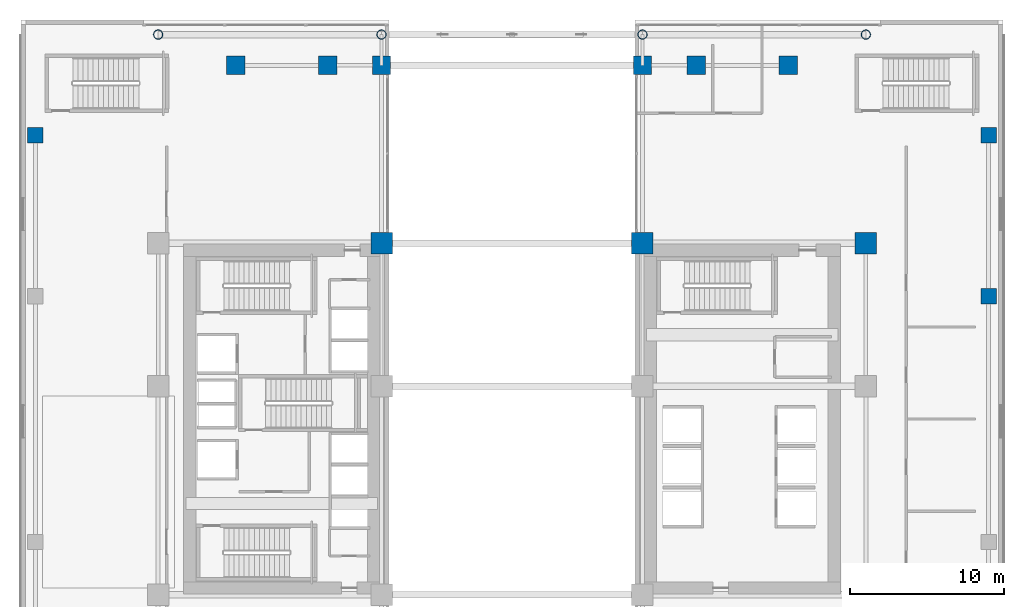
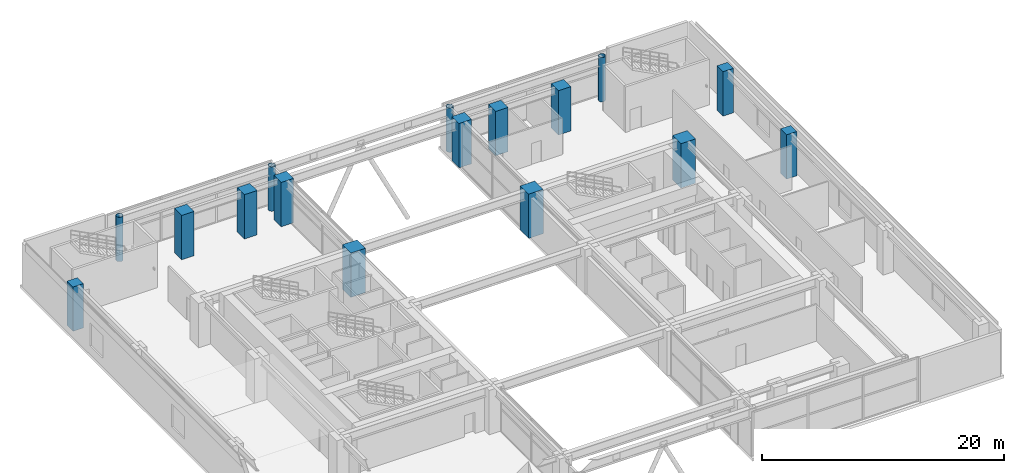
# One storey, part 2 of 30: 16 columns.
"""IFC4 building model written with IfcOpenShell, lengths in metres."""

from ifc_helpers import new_model, si_unit, direction, frame, origin, origin_2d, place, context, subcontext, project, spatial, rectangle, hollow_circle, extrude, source, transform, mapped, material, material_profile, profile_set, type_object, element, save


model = new_model("IFC4")

# Units and contexts
model_context = context("Model", 3, precision=1e-05, world=origin(), true_north=direction((0.0, 1.0)))
body_context = subcontext(model_context, "Body", "Model", "MODEL_VIEW")
ifc_project = project(units=[si_unit("LENGTHUNIT", "METRE"), si_unit("AREAUNIT", "SQUARE_METRE"), si_unit("VOLUMEUNIT", "CUBIC_METRE"), si_unit("PLANEANGLEUNIT", "RADIAN"), si_unit("MASSUNIT", "GRAM", prefix="KILO")], contexts=[model_context])

# Site, building, storey
site_placement = place(None, origin())
site = spatial("IfcSite", under=ifc_project, at=site_placement, CompositionType="ELEMENT")
building_placement = place(site_placement, origin())
building = spatial("IfcBuilding", under=site, at=building_placement, Name="Ocotamira Hotel", CompositionType="ELEMENT")
storey_placement = place(building_placement, frame((0.0, 0.0, 19.199951171875)))
storey = spatial("IfcBuildingStorey", under=building, at=storey_placement, Name="L04", CompositionType="ELEMENT", Elevation=19.199951171875)

# Columns
ifc_material_1 = material(Name="Concrete C50/60", Category="concrete")
ifc_material_profile_1 = material_profile(ifc_material_1, rectangle(XDim=1.0, YDim=1.0, at=origin_2d()), Name="RC1000X1000")
ifc_profile_set_1 = profile_set([ifc_material_profile_1], Name="Concrete C50/60")
column_type_1 = type_object("IfcColumnType", Name="COL-RC1000", PredefinedType="COLUMN", material=ifc_profile_set_1)
shared_shape_1 = source(origin(), body_context, "Body", "SweptSolid", [
    extrude(rectangle(XDim=1.0, YDim=1.0, at=origin_2d()), origin(), (0.0, 0.0, 1.0), 4.47998046875),
])
for number, where, z_axis, x_axis, name in (
    (1, (63.050048828125, 34.0, 0.0), (0.0, 0.0, 1.0), (1.0, 0.0, 0.0), "L04 Column PE3"),
    (2, (0.949951171875, 44.5, 0.0), (0.0, 0.0, 1.0), (1.0, 0.0, 0.0), "L04 Column PW4"),
    (3, (63.050048828125, 44.5, 0.0), (0.0, 0.0, 1.0), (1.0, 0.0, 0.0), "L04 Column PE4"),
):
    element("IfcColumn", number, at=place(storey_placement, frame(where, z_axis=z_axis, x_axis=x_axis)), inside=storey, type_object=column_type_1, Name=name, PredefinedType="COLUMN", context=body_context, shape_type="MappedRepresentation", body=[
        mapped(shared_shape_1, transform((0.0, 0.0, 0.0), scale=1.0)),
    ])
ifc_material_2 = material(Name="Steel ASTM A501 Grade B", Category="steel")
ifc_material_profile_2 = material_profile(ifc_material_2, hollow_circle(Radius=0.304931640625, WallThickness=0.02490234375, at=origin_2d()), Name="CHS610X25")
ifc_profile_set_2 = profile_set([ifc_material_profile_2], Name="Steel ASTM A501 Grade B")
column_type_2 = type_object("IfcColumnType", Name="COL-CHS610", PredefinedType="COLUMN", material=ifc_profile_set_2)
shared_shape_2 = source(origin(), body_context, "Body", "SweptSolid", [
    extrude(hollow_circle(Radius=0.304931640625, WallThickness=0.02490234375, at=origin_2d()), origin(), (0.0, 0.0, 1.0), 4.47998046875),
])
for number, where, z_axis, x_axis, name in (
    (4, (8.949951171875, 51.050048828125, 0.0), (0.0, 0.0, 1.0), (1.0, 0.0, 0.0), "L04 Column PS2_1"),
    (5, (23.5, 51.050048828125, 0.0), (0.0, 0.0, 1.0), (1.0, 0.0, 0.0), "L04 Column PS2_2"),
    (6, (40.5, 51.050048828125, 0.0), (0.0, 0.0, 1.0), (1.0, 0.0, 0.0), "L04 Column PS2_3"),
    (7, (55.050048828125, 51.050048828125, 0.0), (0.0, 0.0, 1.0), (1.0, 0.0, 0.0), "L04 Column PS2_4"),
):
    element("IfcColumn", number, at=place(storey_placement, frame(where, z_axis=z_axis, x_axis=x_axis)), inside=storey, type_object=column_type_2, Name=name, PredefinedType="COLUMN", context=body_context, shape_type="MappedRepresentation", body=[
        mapped(shared_shape_2, transform((0.0, 0.0, 0.0), scale=1.0)),
    ])
ifc_material_3 = material(Name="Concrete C60/75", Category="concrete")
ifc_material_profile_3 = material_profile(ifc_material_3, rectangle(XDim=1.39990234375, YDim=1.39990234375, at=origin_2d()), Name="RC1400X1400")
ifc_profile_set_3 = profile_set([ifc_material_profile_3], Name="Concrete C60/75")
column_type_3 = type_object("IfcColumnType", Name="COL-RC1400", PredefinedType="COLUMN", material=ifc_profile_set_3)
shared_shape_3 = source(origin(), body_context, "Body", "SweptSolid", [
    extrude(rectangle(XDim=1.39990234375, YDim=1.39990234375, at=origin_2d()), origin(), (0.0, 0.0, 1.0), 4.47998046875),
])
for number, where, z_axis, x_axis, name in (
    (8, (23.5, 37.449951171875, 0.0), (0.0, 0.0, 1.0), (1.0, 0.0, 0.0), "L04 Column TW23_37"),
    (9, (40.5, 37.449951171875, 0.0), (0.0, 0.0, 1.0), (1.0, 0.0, 0.0), "L04 Column TE40_37"),
    (10, (55.050048828125, 37.449951171875, 0.0), (0.0, 0.0, 1.0), (1.0, 0.0, 0.0), "L04 Column TE55_37"),
):
    element("IfcColumn", number, at=place(storey_placement, frame(where, z_axis=z_axis, x_axis=x_axis)), inside=storey, type_object=column_type_3, Name=name, PredefinedType="COLUMN", context=body_context, shape_type="MappedRepresentation", body=[
        mapped(shared_shape_3, transform((0.0, 0.0, 0.0), scale=1.0)),
    ])
ifc_material_profile_4 = material_profile(ifc_material_3, rectangle(XDim=1.199951171875, YDim=1.199951171875, at=origin_2d()), Name="RC1200X1200")
ifc_profile_set_4 = profile_set([ifc_material_profile_4], Name="Concrete C60/75")
column_type_4 = type_object("IfcColumnType", Name="COL-RC1200", PredefinedType="COLUMN", material=ifc_profile_set_4)
shared_shape_4 = source(origin(), body_context, "Body", "SweptSolid", [
    extrude(rectangle(XDim=1.199951171875, YDim=1.199951171875, at=origin_2d()), origin(), (0.0, 0.0, 1.0), 4.47998046875),
])
for number, where, z_axis, x_axis, name in (
    (11, (14.0, 49.050048828125, 0.0), (0.0, 0.0, 1.0), (1.0, 0.0, 0.0), "L04 Column NSP2_14"),
    (12, (20.0, 49.050048828125, 0.0), (0.0, 0.0, 1.0), (1.0, 0.0, 0.0), "L04 Column NSP2_20"),
    (13, (23.5, 49.050048828125, 0.0), (0.0, 0.0, 1.0), (1.0, 0.0, 0.0), "L04 Column NSP2_23"),
    (14, (40.5, 49.050048828125, 0.0), (0.0, 0.0, 1.0), (1.0, 0.0, 0.0), "L04 Column NSP2_40"),
    (15, (44.0, 49.050048828125, 0.0), (0.0, 0.0, 1.0), (1.0, 0.0, 0.0), "L04 Column NSP2_44"),
    (16, (50.0, 49.050048828125, 0.0), (0.0, 0.0, 1.0), (1.0, 0.0, 0.0), "L04 Column NSP2_50"),
):
    element("IfcColumn", number, at=place(storey_placement, frame(where, z_axis=z_axis, x_axis=x_axis)), inside=storey, type_object=column_type_4, Name=name, PredefinedType="COLUMN", context=body_context, shape_type="MappedRepresentation", body=[
        mapped(shared_shape_4, transform((0.0, 0.0, 0.0), scale=1.0)),
    ])

save(model, "model.ifc")
